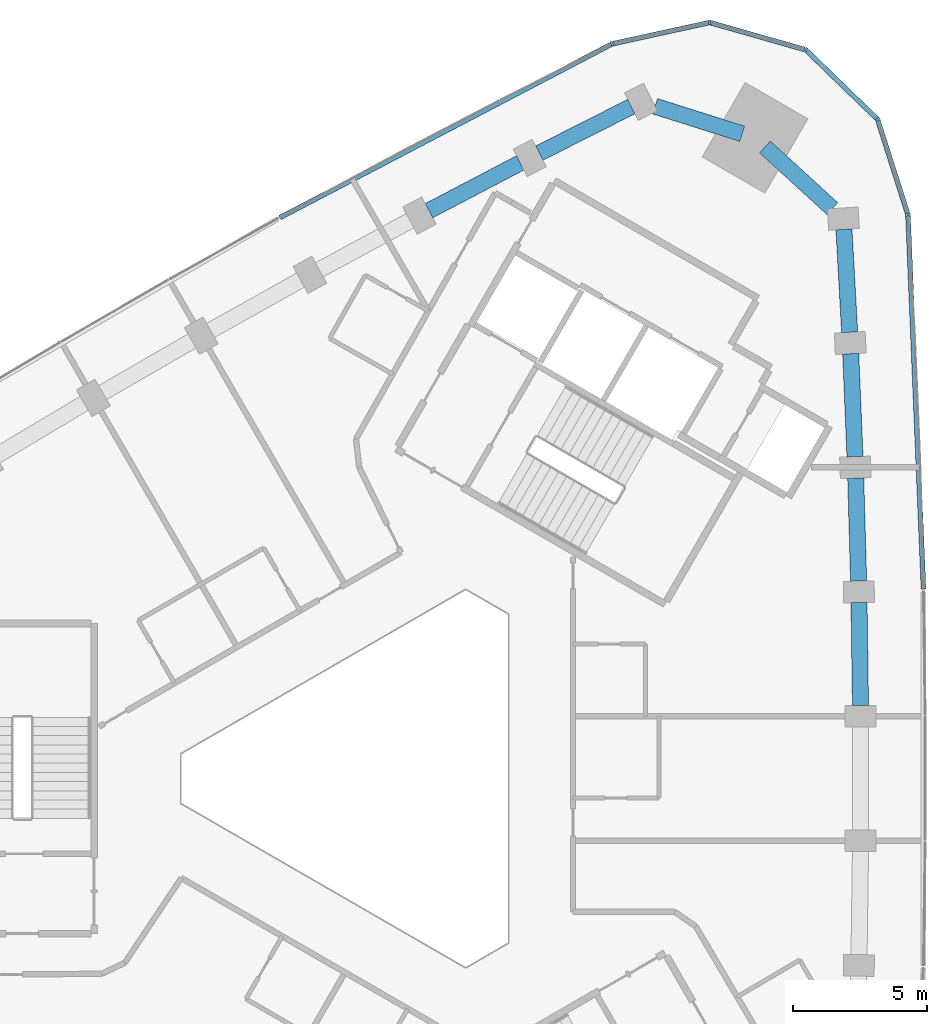
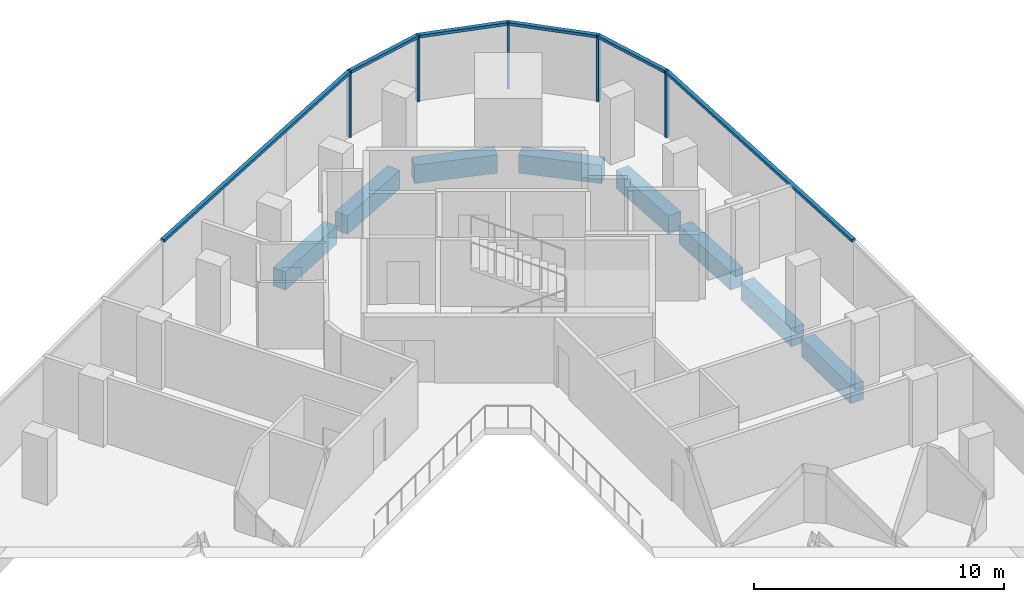
# One storey, part 5 of 11: 11 members, 8 beams, 2 elements without a shape of their own.
"""IFC4 building model written with IfcOpenShell, lengths in metres."""

from ifc_helpers import new_model, si_unit, direction, frame, origin, origin_2d, place, context, subcontext, project, spatial, rectangle, extrude, material, material_profile, profile_set, type_object, element, aggregate, save


model = new_model("IFC4")

# Units and contexts
model_context = context("Model", 3, precision=1e-05, world=origin(), true_north=direction((0.0, 1.0)))
body_context = subcontext(model_context, "Body", "Model", "MODEL_VIEW")
ifc_project = project(units=[si_unit("LENGTHUNIT", "METRE"), si_unit("AREAUNIT", "SQUARE_METRE"), si_unit("VOLUMEUNIT", "CUBIC_METRE"), si_unit("PLANEANGLEUNIT", "RADIAN"), si_unit("MASSUNIT", "GRAM", prefix="KILO")], contexts=[model_context])

# Site, building, storey
site_placement = place(None, origin())
site = spatial("IfcSite", under=ifc_project, at=site_placement, CompositionType="ELEMENT")
building_placement = place(site_placement, origin())
building = spatial("IfcBuilding", under=site, at=building_placement, Name="Tamra Quay Hotel Tower", CompositionType="ELEMENT")
storey_placement = place(building_placement, frame((0.0, 0.0, 190.0)))
storey = spatial("IfcBuildingStorey", under=building, at=storey_placement, Name="L47", CompositionType="ELEMENT", Elevation=190.0)

# Curtain wall, members
ifc_material_1 = material(Name="Aluminium 6063 anodised dark grey", Category="aluminium")
curtain_wall_type_1 = type_object("IfcCurtainWallType", Name="CW1 CURTAIN WALL", PredefinedType="NOTDEFINED", material=ifc_material_1)
curtain_wall_1_placement = place(storey_placement, origin())
curtain_wall_1 = element("IfcCurtainWall", 1, at=curtain_wall_1_placement, inside=storey, type_object=curtain_wall_type_1, Name="CW1 east face L47", PredefinedType="NOTDEFINED")
ifc_material_profile_1 = material_profile(ifc_material_1, rectangle(XDim=0.179931640625, YDim=0.10009765625, at=origin_2d()), Name="MULLION 100X180")
ifc_profile_set_1 = profile_set([ifc_material_profile_1], Name="Aluminium 6063 anodised dark grey")
member_type_1 = type_object("IfcMemberType", Name="MULLION CW1 Z4", PredefinedType="MULLION", material=ifc_profile_set_1)
member_1_placement = place(storey_placement, frame((19.4755859375, 21.00537109375, 0.0), z_axis=(0.0, 0.0, 1.0), x_axis=(0.98350948997, 0.180856526394, 0.0)))
member_1 = element("IfcMember", 2, at=member_1_placement, type_object=member_type_1, Name="CW1 mullion L47.E.10", PredefinedType="MULLION", context=body_context, shape_type="SweptSolid", body=[
    extrude(rectangle(XDim=0.179931640625, YDim=0.10009765625, at=origin_2d()), origin(), (0.0, 0.0, 1.0), 3.25),
])
member_2_placement = place(storey_placement, frame((18.345947265625, 24.553466796875, 0.0), z_axis=(0.0, 0.0, 1.0), x_axis=(0.85012217174, 0.526585504089, 0.0)))
member_2 = element("IfcMember", 3, at=member_2_placement, type_object=member_type_1, Name="CW1 mullion L47.E.11", PredefinedType="MULLION", context=body_context, shape_type="SweptSolid", body=[
    extrude(rectangle(XDim=0.179931640625, YDim=0.10009765625, at=origin_2d()), origin(), (0.0, 0.0, 1.0), 3.25),
])
member_3_placement = place(storey_placement, frame((15.67236328125, 27.145263671875, 0.0), z_axis=(0.0, 0.0, 1.0), x_axis=(0.5, 0.866025403784, 0.0)))
member_3 = element("IfcMember", 4, at=member_3_placement, type_object=member_type_1, Name="CW1 mullion L47.E.12", PredefinedType="MULLION", context=body_context, shape_type="SweptSolid", body=[
    extrude(rectangle(XDim=0.179931640625, YDim=0.10009765625, at=origin_2d()), origin(), (0.0, 0.0, 1.0), 3.25),
])
member_4_placement = place(storey_placement, frame((12.091064453125, 28.164794921875, 0.0), z_axis=(0.0, 0.0, 1.0), x_axis=(0.030975337936, 0.999520149091, 0.0)))
member_4 = element("IfcMember", 5, at=member_4_placement, type_object=member_type_1, Name="CW1 mullion L47.E.13", PredefinedType="MULLION", context=body_context, shape_type="SweptSolid", body=[
    extrude(rectangle(XDim=0.179931640625, YDim=0.10009765625, at=origin_2d()), origin(), (0.0, 0.0, 1.0), 3.25),
])

# Curtain wall, member
curtain_wall_type_2 = type_object("IfcCurtainWallType", Name="CW2 CURTAIN WALL", PredefinedType="NOTDEFINED", material=ifc_material_1)
curtain_wall_2_placement = place(storey_placement, origin())
curtain_wall_2 = element("IfcCurtainWall", 6, at=curtain_wall_2_placement, inside=storey, type_object=curtain_wall_type_2, Name="CW2 north-west face L47", PredefinedType="NOTDEFINED")
ifc_material_profile_2 = material_profile(ifc_material_1, rectangle(XDim=0.179931640625, YDim=0.10009765625, at=origin_2d()), Name="MULLION 100X180")
ifc_profile_set_2 = profile_set([ifc_material_profile_2], Name="Aluminium 6063 anodised dark grey")
member_type_2 = type_object("IfcMemberType", Name="MULLION CW2 Z4", PredefinedType="MULLION", material=ifc_profile_set_2)
member_5_placement = place(storey_placement, frame((8.453369140625, 27.369140625, 0.0), z_axis=(0.0, 0.0, 1.0), x_axis=(-0.335128398687, 0.942172466374, 0.0)))
member_5 = element("IfcMember", 7, at=member_5_placement, type_object=member_type_2, Name="CW2 mullion L47.NW.1", PredefinedType="MULLION", context=body_context, shape_type="SweptSolid", body=[
    extrude(rectangle(XDim=0.179931640625, YDim=0.10009765625, at=origin_2d()), origin(), (0.0, 0.0, 1.0), 3.25),
])

# Beams
ifc_material_2 = material(Name="Concrete M60", Category="concrete")
ifc_material_profile_3 = material_profile(ifc_material_2, rectangle(XDim=0.60009765625, YDim=0.89990234375, at=origin_2d()), Name="SPANDREL BEAM RC 600x900")
ifc_profile_set_3 = profile_set([ifc_material_profile_3], Name="Concrete M60")
beam_type = type_object("IfcBeamType", Name="SPANDREL BEAM RC 600x900", PredefinedType="SPANDREL", material=ifc_profile_set_3)
beam_1_placement = place(storey_placement, frame((17.706787109375, 2.71875, -0.800048828125), z_axis=(-0.01380539035, 0.999904701058, 0.0), x_axis=(-0.999904701058, -0.01380539035, 0.0)))
element("IfcBeam", 8, at=beam_1_placement, inside=storey, type_object=beam_type, Name="BM-SP4-005-L47", PredefinedType="SPANDREL", context=body_context, shape_type="SweptSolid", body=[
    extrude(rectangle(XDim=0.60009765625, YDim=0.89990234375, at=origin_2d()), origin(), (0.0, 0.0, 1.0), 3.83740234375),
])
beam_2_placement = place(storey_placement, frame((17.636962890625, 7.355712890625, -0.800048828125), z_axis=(-0.02773528523, 0.999615302981, 0.0), x_axis=(-0.999615302981, -0.02773528523, 0.0)))
element("IfcBeam", 9, at=beam_2_placement, inside=storey, type_object=beam_type, Name="BM-SP4-006-L47", PredefinedType="SPANDREL", context=body_context, shape_type="SweptSolid", body=[
    extrude(rectangle(XDim=0.60009765625, YDim=0.89990234375, at=origin_2d()), origin(), (0.0, 0.0, 1.0), 3.837890625),
])
beam_3_placement = place(storey_placement, frame((17.502685546875, 11.99169921875, -0.800048828125), z_axis=(-0.041609373826, 0.999133954988, 0.0), x_axis=(-0.999133954988, -0.041609373826, 0.0)))
element("IfcBeam", 10, at=beam_3_placement, inside=storey, type_object=beam_type, Name="BM-SP4-007-L47", PredefinedType="SPANDREL", context=body_context, shape_type="SweptSolid", body=[
    extrude(rectangle(XDim=0.60009765625, YDim=0.89990234375, at=origin_2d()), origin(), (0.0, 0.0, 1.0), 3.83740234375),
])
beam_4_placement = place(storey_placement, frame((17.30419921875, 16.625, -0.800048828125), z_axis=(-0.055346700292, 0.99846719664, 0.0), x_axis=(-0.99846719664, -0.055346700292, 0.0)))
element("IfcBeam", 11, at=beam_4_placement, inside=storey, type_object=beam_type, Name="BM-SP4-008-L47", PredefinedType="SPANDREL", context=body_context, shape_type="SweptSolid", body=[
    extrude(rectangle(XDim=0.60009765625, YDim=0.89990234375, at=origin_2d()), origin(), (0.0, 0.0, 1.0), 3.837646484375),
])
beam_5_placement = place(storey_placement, frame((16.659423828125, 21.2314453125, -0.800048828125), z_axis=(-0.737716497183, 0.675110635218, 0.0), x_axis=(-0.675110635218, -0.737716497183, 0.0)))
element("IfcBeam", 12, at=beam_5_placement, inside=storey, type_object=beam_type, Name="BM-SP4-009-L47", PredefinedType="SPANDREL", context=body_context, shape_type="SweptSolid", body=[
    extrude(rectangle(XDim=0.60009765625, YDim=0.89990234375, at=origin_2d()), origin(), (0.0, 0.0, 1.0), 3.404296875),
])
beam_6_placement = place(storey_placement, frame((13.302978515625, 24.017333984375, -0.800048828125), z_axis=(-0.953502415748, 0.301385373174, 0.0), x_axis=(-0.301385373174, -0.953502415748, 0.0)))
element("IfcBeam", 13, at=beam_6_placement, inside=storey, type_object=beam_type, Name="BM-SP4-010-L47", PredefinedType="SPANDREL", context=body_context, shape_type="SweptSolid", body=[
    extrude(rectangle(XDim=0.60009765625, YDim=0.89990234375, at=origin_2d()), origin(), (0.0, 0.0, 1.0), 3.40380859375),
])
beam_7_placement = place(storey_placement, frame((9.170166015625, 25.030029296875, -0.800048828125), z_axis=(-0.892407883039, -0.451229620359, 0.0), x_axis=(0.451229620359, -0.892407883039, 0.0)))
element("IfcBeam", 14, at=beam_7_placement, inside=storey, type_object=beam_type, Name="BM-SP4-011-L47", PredefinedType="SPANDREL", context=body_context, shape_type="SweptSolid", body=[
    extrude(rectangle(XDim=0.60009765625, YDim=0.89990234375, at=origin_2d()), origin(), (0.0, 0.0, 1.0), 3.837646484375),
])
beam_8_placement = place(storey_placement, frame((5.033935546875, 22.9326171875, -0.800048828125), z_axis=(-0.886043134182, -0.463602808845, 0.0), x_axis=(0.463602808845, -0.886043134182, 0.0)))
element("IfcBeam", 15, at=beam_8_placement, inside=storey, type_object=beam_type, Name="BM-SP4-012-L47", PredefinedType="SPANDREL", context=body_context, shape_type="SweptSolid", body=[
    extrude(rectangle(XDim=0.60009765625, YDim=0.89990234375, at=origin_2d()), origin(), (0.0, 0.0, 1.0), 3.83740234375),
])

# Member
ifc_material_profile_4 = material_profile(ifc_material_1, rectangle(XDim=0.179931640625, YDim=0.139892578125, at=origin_2d()), Name="TRANSOM 180X140")
ifc_profile_set_4 = profile_set([ifc_material_profile_4], Name="Aluminium 6063 anodised dark grey")
member_type_3 = type_object("IfcMemberType", Name="TRANSOM CW1 Z4", PredefinedType="USERDEFINED", material=ifc_profile_set_4)
member_6_placement = place(storey_placement, frame((20.056884765625, 7.056640625, 3.179931640625), z_axis=(-0.041576525187, 0.999135322443, 0.0), x_axis=(-0.999135322443, -0.041576525187, 0.0)))
member_6 = element("IfcMember", 16, at=member_6_placement, type_object=member_type_3, Name="CW1 transom L47.E.7", ObjectType="TRANSOM", PredefinedType="USERDEFINED", context=body_context, shape_type="SweptSolid", body=[
    extrude(rectangle(XDim=0.179931640625, YDim=0.139892578125, at=origin_2d()), origin(), (0.0, 0.0, 1.0), 13.910888671875),
])

member_7_placement = place(storey_placement, frame((19.46044921875, 21.052978515625, 3.179931640625), z_axis=(-0.303384410911, 0.952868248614, 0.0), x_axis=(-0.952868248614, -0.303384410911, 0.0)))
member_7 = element("IfcMember", 17, at=member_7_placement, type_object=member_type_3, Name="CW1 transom L47.E.10", ObjectType="TRANSOM", PredefinedType="USERDEFINED", context=body_context, shape_type="SweptSolid", body=[
    extrude(rectangle(XDim=0.179931640625, YDim=0.139892578125, at=origin_2d()), origin(), (0.0, 0.0, 1.0), 3.623779296875),
])

member_8_placement = place(storey_placement, frame((18.31005859375, 24.58837890625, 3.179931640625), z_axis=(-0.718003439243, 0.696039554361, 0.0), x_axis=(-0.696039554361, -0.718003439243, 0.0)))
member_8 = element("IfcMember", 18, at=member_8_placement, type_object=member_type_3, Name="CW1 transom L47.E.11", ObjectType="TRANSOM", PredefinedType="USERDEFINED", context=body_context, shape_type="SweptSolid", body=[
    extrude(rectangle(XDim=0.179931640625, YDim=0.139892578125, at=origin_2d()), origin(), (0.0, 0.0, 1.0), 3.623779296875),
])

member_9_placement = place(storey_placement, frame((15.624267578125, 27.158935546875, 3.179931640625), z_axis=(-0.961782850697, 0.273813345375, 0.0), x_axis=(-0.273813345375, -0.961782850697, 0.0)))
member_9 = element("IfcMember", 19, at=member_9_placement, type_object=member_type_3, Name="CW1 transom L47.E.12", ObjectType="TRANSOM", PredefinedType="USERDEFINED", context=body_context, shape_type="SweptSolid", body=[
    extrude(rectangle(XDim=0.179931640625, YDim=0.139892578125, at=origin_2d()), origin(), (0.0, 0.0, 1.0), 3.62353515625),
])

member_10_placement = place(storey_placement, frame((12.042236328125, 28.154052734375, 3.179931640625), z_axis=(-0.976912322542, -0.21364061895, 0.0), x_axis=(0.21364061895, -0.976912322542, 0.0)))
member_10 = element("IfcMember", 20, at=member_10_placement, type_object=member_type_3, Name="CW1 transom L47.E.13", ObjectType="TRANSOM", PredefinedType="USERDEFINED", context=body_context, shape_type="SweptSolid", body=[
    extrude(rectangle(XDim=0.179931640625, YDim=0.139892578125, at=origin_2d()), origin(), (0.0, 0.0, 1.0), 3.623779296875),
])

aggregate(curtain_wall_1, [member_6, member_1, member_7, member_2, member_8, member_3, member_9, member_4, member_10])

ifc_material_profile_5 = material_profile(ifc_material_1, rectangle(XDim=0.179931640625, YDim=0.139892578125, at=origin_2d()), Name="TRANSOM 180X140")
ifc_profile_set_5 = profile_set([ifc_material_profile_5], Name="Aluminium 6063 anodised dark grey")
member_type_4 = type_object("IfcMemberType", Name="TRANSOM CW2 Z4", PredefinedType="USERDEFINED", material=ifc_profile_set_5)
member_11_placement = place(storey_placement, frame((8.40869140625, 27.346435546875, 3.179931640625), z_axis=(-0.886073593198, -0.463544590559, 0.0), x_axis=(0.463544590559, -0.886073593198, 0.0)))
member_11 = element("IfcMember", 21, at=member_11_placement, type_object=member_type_4, Name="CW2 transom L47.NW.1", ObjectType="TRANSOM", PredefinedType="USERDEFINED", context=body_context, shape_type="SweptSolid", body=[
    extrude(rectangle(XDim=0.179931640625, YDim=0.139892578125, at=origin_2d()), origin(), (0.0, 0.0, 1.0), 13.91064453125),
])

aggregate(curtain_wall_2, [member_5, member_11])

save(model, "model.ifc")
